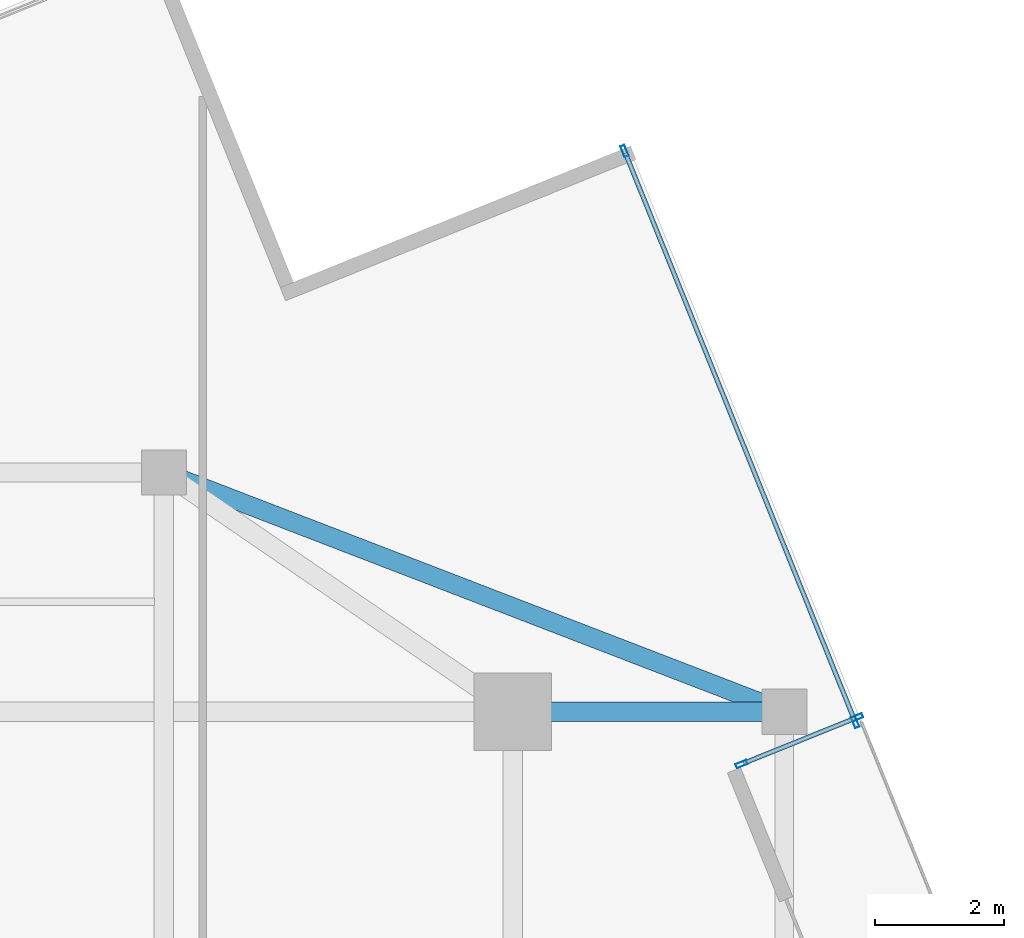
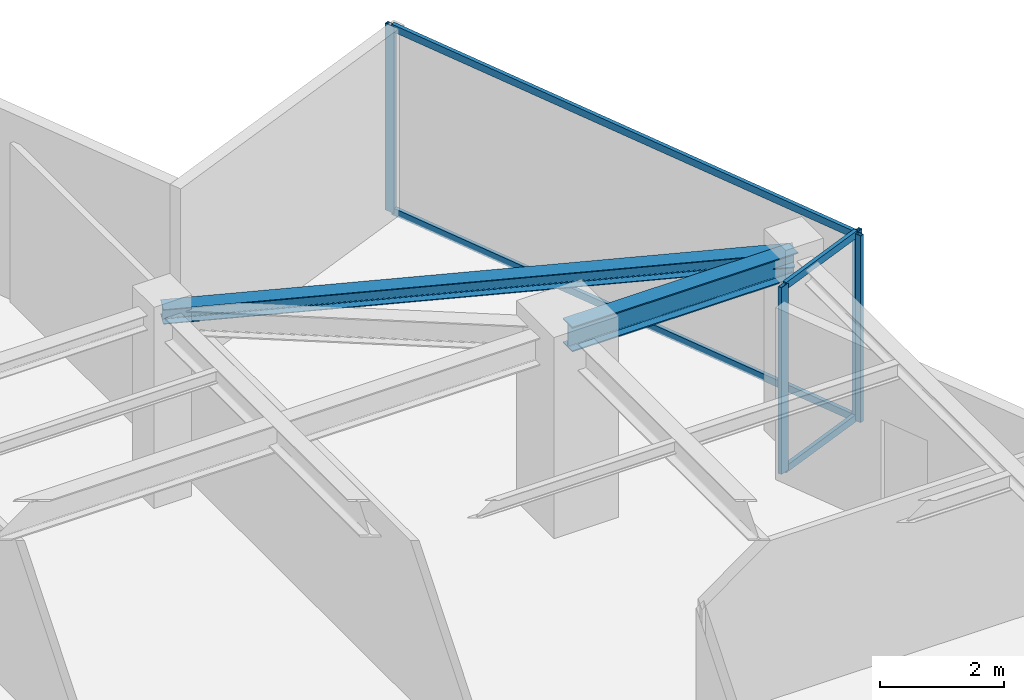
# One storey, part 16 of 21: 8 members, 2 beams, 2 elements without a shape of their own.
"""IFC4 building model written with IfcOpenShell, lengths in metres."""

from ifc_helpers import new_model, si_unit, direction, frame, origin, origin_2d, place, context, subcontext, project, spatial, hollow_rectangle, i_section, extrude, source, transform, mapped, material, material_profile, profile_set, type_object, type_shapes, element, aggregate, save


model = new_model("IFC4")

# Units and contexts
model_context = context("Model", 3, precision=1e-05, world=origin(), true_north=direction((0.0, 1.0)))
body_context = subcontext(model_context, "Body", "Model", "MODEL_VIEW")
ifc_project = project(units=[si_unit("LENGTHUNIT", "METRE"), si_unit("AREAUNIT", "SQUARE_METRE"), si_unit("VOLUMEUNIT", "CUBIC_METRE"), si_unit("PLANEANGLEUNIT", "RADIAN"), si_unit("MASSUNIT", "GRAM", prefix="KILO")], contexts=[model_context])

# Site, building, storey
site_placement = place(None, origin())
site = spatial("IfcSite", under=ifc_project, at=site_placement, CompositionType="ELEMENT")
building_placement = place(site_placement, origin())
building = spatial("IfcBuilding", under=site, at=building_placement, Name="Krantzveldt Concourse Tower", CompositionType="ELEMENT")
storey_placement = place(building_placement, frame((0.0, 0.0, 323.75)))
storey = spatial("IfcBuildingStorey", under=building, at=storey_placement, Name="L79", CompositionType="ELEMENT", Elevation=323.75)

# Beams
ifc_material_1 = material(Name="Steel S355JR", Category="steel")
ifc_material_profile_1 = material_profile(ifc_material_1, i_section(OverallWidth=0.300048828125, OverallDepth=0.489990234375, WebThickness=0.011962890625, FlangeThickness=0.02294921875, FilletRadius=0.027099609375, at=origin_2d()), Name="Steel S355JR", Category="steel")
ifc_profile_set_1 = profile_set([ifc_material_profile_1], Name="Steel S355JR - HEA 500")
beam_type_1 = type_object("IfcBeamType", Name="BM-B-HEA500", PredefinedType="BEAM", material=ifc_profile_set_1)
shared_shape_1 = source(origin(), body_context, "Body", "SweptSolid", [
    extrude(i_section(OverallWidth=0.300048828125, OverallDepth=0.489990234375, WebThickness=0.011962890625, FlangeThickness=0.02294921875, FilletRadius=0.027099609375, at=origin_2d()), origin(), (0.0, 0.0, 1.0), 4.199951171875),
])
type_shapes(beam_type_1, [shared_shape_1])
beam_1_placement = place(storey_placement, frame((46.800048828125, 37.5, 3.425048828125), z_axis=(1.0, 0.0, 0.0), x_axis=(0.0, 1.0, 0.0)))
element("IfcBeam", 1, at=beam_1_placement, inside=storey, type_object=beam_type_1, Name="L79 Tower Girder BR-RR3", PredefinedType="BEAM", context=body_context, shape_type="MappedRepresentation", body=[
    mapped(shared_shape_1, transform((0.0, 0.0, 0.0), x_axis=(1.0, 0.0, 0.0), y_axis=(0.0, 1.0, 0.0), z_axis=(0.0, 0.0, 1.0), scale=1.0)),
])
ifc_material_profile_2 = material_profile(ifc_material_1, i_section(OverallWidth=0.2900390625, OverallDepth=0.2900390625, WebThickness=0.008544921875, FlangeThickness=0.013916015625, FilletRadius=0.027099609375, at=origin_2d()), Name="Steel S355JR", Category="steel")
ifc_profile_set_2 = profile_set([ifc_material_profile_2], Name="Steel S355JR - HEA 300")
beam_type_2 = type_object("IfcBeamType", Name="BM-SP-HEA300", PredefinedType="SPANDREL", material=ifc_profile_set_2)
shared_shape_2 = source(origin(), body_context, "Body", "SweptSolid", [
    extrude(i_section(OverallWidth=0.2900390625, OverallDepth=0.2900390625, WebThickness=0.008544921875, FlangeThickness=0.013916015625, FilletRadius=0.027099609375, at=origin_2d()), origin(), (0.0, 0.0, 1.0), 10.288330078125),
])
type_shapes(beam_type_2, [shared_shape_2])
beam_2_placement = place(storey_placement, frame((41.39990234375, 41.199951171875, 3.52490234375), z_axis=(0.933097690408, -0.359622997257, 0.0), x_axis=(0.359622997257, 0.933097690408, 0.0)))
element("IfcBeam", 2, at=beam_2_placement, inside=storey, type_object=beam_type_2, Name="L79 Tower Girder SP-R05", PredefinedType="SPANDREL", context=body_context, shape_type="MappedRepresentation", body=[
    mapped(shared_shape_2, transform((0.0, 0.0, 0.0), x_axis=(1.0, 0.0, 0.0), y_axis=(0.0, 1.0, 0.0), z_axis=(0.0, 0.0, 1.0), scale=1.0)),
])

# Curtain wall, members
ifc_material_2 = material(Name="Anodised aluminium 6063-T6", Category="aluminium")
curtain_wall_type_1 = type_object("IfcCurtainWallType", Name="CW6", PredefinedType="USERDEFINED", material=ifc_material_2)
curtain_wall_1_placement = place(storey_placement, origin())
curtain_wall_1 = element("IfcCurtainWall", 3, at=curtain_wall_1_placement, inside=storey, type_object=curtain_wall_type_1, Name="CW-L79-TR13", ObjectType="UNITISED CURTAIN WALL", PredefinedType="USERDEFINED")
ifc_material_profile_3 = material_profile(ifc_material_2, hollow_rectangle(XDim=0.070068359375, YDim=0.179931640625, WallThickness=0.0048828125, at=origin_2d()), Name="Anodised aluminium 6063-T6", Category="aluminium")
ifc_profile_set_3 = profile_set([ifc_material_profile_3], Name="Anodised aluminium 6063-T6 - ALU-MULL 180x70x5")
member_type_1 = type_object("IfcMemberType", Name="CW-MUL-180", PredefinedType="MULLION", material=ifc_profile_set_3)
shared_shape_3 = source(origin(), body_context, "Body", "SweptSolid", [
    extrude(hollow_rectangle(XDim=0.070068359375, YDim=0.179931640625, WallThickness=0.0048828125, at=origin_2d()), origin(), (0.0, 0.0, 1.0), 3.669921875),
])
type_shapes(member_type_1, [shared_shape_3])
member_1_placement = place(storey_placement, frame((50.33740234375, 36.688232421875, 0.0), z_axis=(0.0, 0.0, 1.0), x_axis=(-0.374604825762, 0.927184568743, 0.0)))
member_1 = element("IfcMember", 4, at=member_1_placement, type_object=member_type_1, Name="CW-TERR mullion 1", PredefinedType="MULLION", context=body_context, shape_type="MappedRepresentation", body=[
    mapped(shared_shape_3, transform((0.0, 0.0, 0.0), x_axis=(1.0, 0.0, 0.0), y_axis=(0.0, 1.0, 0.0), z_axis=(0.0, 0.0, 1.0), scale=1.0)),
])
member_2_placement = place(storey_placement, frame((52.126708984375, 37.4111328125, 0.0), z_axis=(0.0, 0.0, 1.0), x_axis=(-0.374604825762, 0.927184568743, 0.0)))
member_2 = element("IfcMember", 5, at=member_2_placement, type_object=member_type_1, Name="CW-TERR mullion 2", PredefinedType="MULLION", context=body_context, shape_type="MappedRepresentation", body=[
    mapped(shared_shape_3, transform((0.0, 0.0, 0.0), x_axis=(1.0, 0.0, 0.0), y_axis=(0.0, 1.0, 0.0), z_axis=(0.0, 0.0, 1.0), scale=1.0)),
])

curtain_wall_type_2 = type_object("IfcCurtainWallType", Name="CW4", PredefinedType="USERDEFINED", material=ifc_material_2)
curtain_wall_2_placement = place(storey_placement, origin())
curtain_wall_2 = element("IfcCurtainWall", 6, at=curtain_wall_2_placement, inside=storey, type_object=curtain_wall_type_2, Name="CW-L79-F14", ObjectType="UNITISED CURTAIN WALL", PredefinedType="USERDEFINED")
member_3_placement = place(storey_placement, frame((52.096435546875, 37.339599609375, 0.0), z_axis=(0.0, 0.0, 1.0), x_axis=(-0.927183685079, -0.374607012913, 0.0)))
member_3 = element("IfcMember", 7, at=member_3_placement, type_object=member_type_1, Name="CW-Z56 mullion 1", PredefinedType="MULLION", context=body_context, shape_type="MappedRepresentation", body=[
    mapped(shared_shape_3, transform((0.0, 0.0, 0.0), x_axis=(1.0, 0.0, 0.0), y_axis=(0.0, 1.0, 0.0), z_axis=(0.0, 0.0, 1.0), scale=1.0)),
])
member_4_placement = place(storey_placement, frame((48.5263671875, 46.175537109375, 0.0), z_axis=(0.0, 0.0, 1.0), x_axis=(-0.927183685079, -0.374607012913, 0.0)))
member_4 = element("IfcMember", 8, at=member_4_placement, type_object=member_type_1, Name="CW-Z56 mullion 2", PredefinedType="MULLION", context=body_context, shape_type="MappedRepresentation", body=[
    mapped(shared_shape_3, transform((0.0, 0.0, 0.0), x_axis=(1.0, 0.0, 0.0), y_axis=(0.0, 1.0, 0.0), z_axis=(0.0, 0.0, 1.0), scale=1.0)),
])

# Member
ifc_material_profile_4 = material_profile(ifc_material_2, hollow_rectangle(XDim=0.070068359375, YDim=0.139892578125, WallThickness=0.0048828125, at=origin_2d()), Name="Anodised aluminium 6063-T6", Category="aluminium")
ifc_profile_set_4 = profile_set([ifc_material_profile_4], Name="Anodised aluminium 6063-T6 - ALU-TRAN 140x70x5")
member_type_2 = type_object("IfcMemberType", Name="CW-TRN-150", PredefinedType="USERDEFINED", material=ifc_profile_set_4)
shared_shape_4 = source(origin(), body_context, "Body", "SweptSolid", [
    extrude(hollow_rectangle(XDim=0.070068359375, YDim=0.139892578125, WallThickness=0.0048828125, at=origin_2d()), origin(), (0.0, 0.0, 1.0), 1.860107421875),
])
member_5_placement = place(storey_placement, frame((50.369873046875, 36.701171875, 0.034912109375), z_axis=(0.927185735513, 0.374601937876, 0.0), x_axis=(-0.374601937876, 0.927185735513, 0.0)))
member_5 = element("IfcMember", 9, at=member_5_placement, type_object=member_type_2, Name="CW-TERR transom 1.1", ObjectType="TRANSOM", PredefinedType="USERDEFINED", context=body_context, shape_type="MappedRepresentation", body=[
    mapped(shared_shape_4, transform((0.0, 0.0, 0.0), x_axis=(1.0, 0.0, 0.0), y_axis=(0.0, 1.0, 0.0), z_axis=(0.0, 0.0, 1.0), scale=1.0)),
])

member_6_placement = place(storey_placement, frame((50.369873046875, 36.701171875, 3.635009765625), z_axis=(0.927185735513, 0.374601937876, 0.0), x_axis=(-0.374601937876, 0.927185735513, 0.0)))
member_6 = element("IfcMember", 10, at=member_6_placement, type_object=member_type_2, Name="CW-TERR transom 1.2", ObjectType="TRANSOM", PredefinedType="USERDEFINED", context=body_context, shape_type="MappedRepresentation", body=[
    mapped(shared_shape_4, transform((0.0, 0.0, 0.0), x_axis=(1.0, 0.0, 0.0), y_axis=(0.0, 1.0, 0.0), z_axis=(0.0, 0.0, 1.0), scale=1.0)),
])

aggregate(curtain_wall_1, [member_1, member_2, member_5, member_6])

shared_shape_5 = source(origin(), body_context, "Body", "SweptSolid", [
    extrude(hollow_rectangle(XDim=0.070068359375, YDim=0.139892578125, WallThickness=0.0048828125, at=origin_2d()), origin(), (0.0, 0.0, 1.0), 9.459716796875),
])
type_shapes(member_type_2, [shared_shape_4, shared_shape_5])
member_7_placement = place(storey_placement, frame((52.083251953125, 37.3720703125, 0.034912109375), z_axis=(-0.374605568635, 0.927184268604, 0.0), x_axis=(-0.927184268604, -0.374605568635, 0.0)))
member_7 = element("IfcMember", 11, at=member_7_placement, type_object=member_type_2, Name="CW-Z56 transom 1.1", ObjectType="TRANSOM", PredefinedType="USERDEFINED", context=body_context, shape_type="MappedRepresentation", body=[
    mapped(shared_shape_5, transform((0.0, 0.0, 0.0), x_axis=(1.0, 0.0, 0.0), y_axis=(0.0, 1.0, 0.0), z_axis=(0.0, 0.0, 1.0), scale=1.0)),
])

member_8_placement = place(storey_placement, frame((52.083251953125, 37.3720703125, 3.635009765625), z_axis=(-0.374605568635, 0.927184268604, 0.0), x_axis=(-0.927184268604, -0.374605568635, 0.0)))
member_8 = element("IfcMember", 12, at=member_8_placement, type_object=member_type_2, Name="CW-Z56 transom 1.2", ObjectType="TRANSOM", PredefinedType="USERDEFINED", context=body_context, shape_type="MappedRepresentation", body=[
    mapped(shared_shape_5, transform((0.0, 0.0, 0.0), x_axis=(1.0, 0.0, 0.0), y_axis=(0.0, 1.0, 0.0), z_axis=(0.0, 0.0, 1.0), scale=1.0)),
])

aggregate(curtain_wall_2, [member_3, member_4, member_7, member_8])

save(model, "model.ifc")
